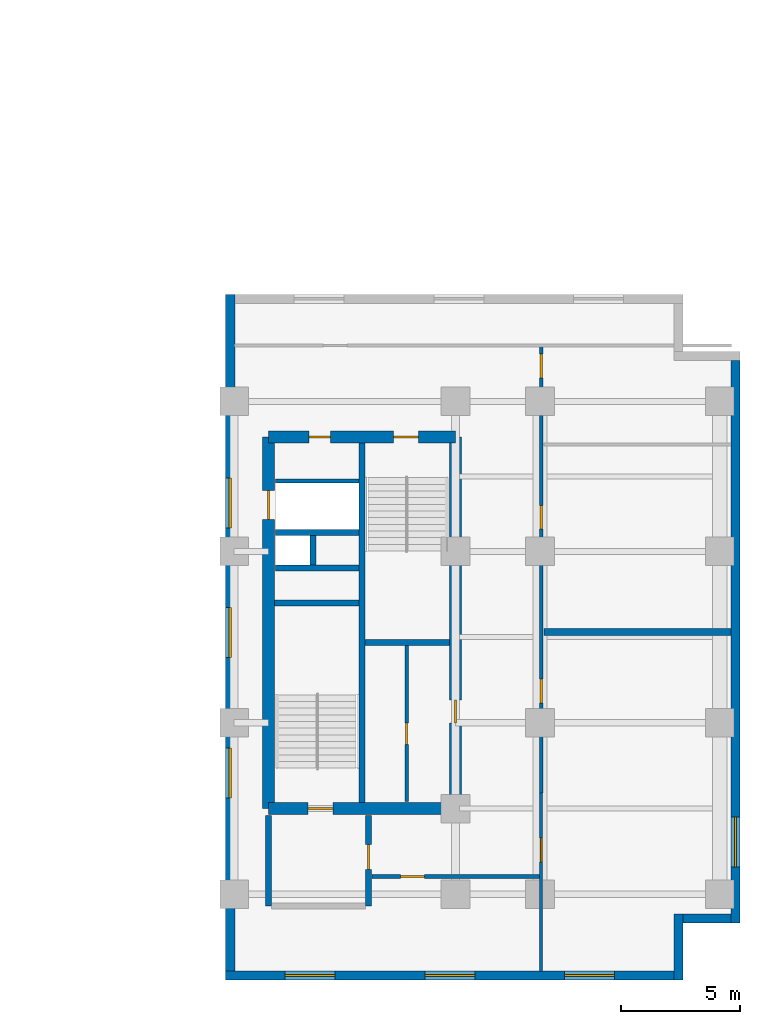
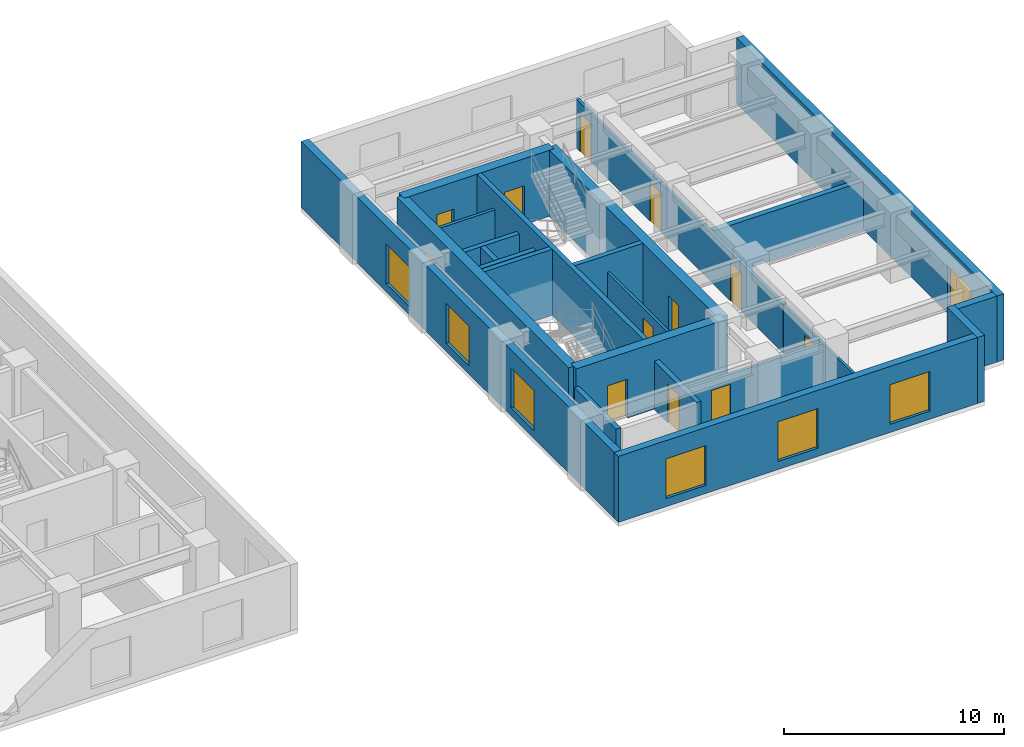
# One storey, part 4 of 9: 23 walls, 12 doors, 7 windows, 19 openings.
"""IFC4 building model written with IfcOpenShell, lengths in metres."""

from ifc_helpers import new_model, entity, si_unit, converted_unit, direction, frame, origin_with_axes, origin_2d_with_axis, place, context, subcontext, project, spatial, polyline, rectangle, outline, extrude, material, layer, layer_set, type_object, element, fill, save


model = new_model("IFC4")

# Units and contexts
model_context = context("Model", 3, precision=1e-05, world=origin_with_axes(), true_north=direction((0.0, 1.0)))
body_context = subcontext(model_context, "Body", "Model", "MODEL_VIEW")
ifc_project = project(units=[si_unit("LENGTHUNIT", "METRE"), si_unit("AREAUNIT", "SQUARE_METRE"), si_unit("VOLUMEUNIT", "CUBIC_METRE"), converted_unit("PLANEANGLEUNIT", "DEGREE", entity("IfcPlaneAngleMeasure", 0.017453292519943295), si_unit("PLANEANGLEUNIT", "RADIAN"), dimensions=[0, 0, 0, 0, 0, 0, 0]), si_unit("MASSUNIT", "GRAM", prefix="KILO"), si_unit("THERMODYNAMICTEMPERATUREUNIT", "KELVIN")], contexts=[model_context])

# Site, building, storey
site_placement = place(None, origin_with_axes())
site = spatial("IfcSite", under=ifc_project, at=site_placement, CompositionType="ELEMENT")
building_placement = place(site_placement, origin_with_axes())
building = spatial("IfcBuilding", under=site, at=building_placement, Name="Varnlund Millrace Tower", CompositionType="ELEMENT")
storey_placement = place(building_placement, frame((0.0, 0.0, 108.6), z_axis=(0.0, 0.0, 1.0), x_axis=(1.0, 0.0, 0.0)))
storey = spatial("IfcBuildingStorey", under=building, at=storey_placement, Name="L26", CompositionType="ELEMENT", Elevation=108.6)

# Wall, opening, door
ifc_material_1 = material(Name="Concrete C70/85", Category="concrete")
ifc_layer_1 = layer(ifc_material_1, 0.5, Name="Concrete C70/85")
ifc_layer_set_1 = layer_set([ifc_layer_1], Name="Concrete C70/85")
wall_type_1 = type_object("IfcWallType", Name="Type-CoreWall-Shear-500-C70", PredefinedType="SHEAR", material=ifc_layer_set_1)
wall_1_placement = place(storey_placement, frame((40.2, 7.2, 0.0), z_axis=(0.0, 0.0, 1.0), x_axis=(0.0, 1.0, 0.0)))
wall_1 = element("IfcWall", 1, at=wall_1_placement, inside=storey, type_object=wall_type_1, Name="Type-CoreWall-Shear-500-C70", PredefinedType="SHEAR", context=body_context, shape_type="SweptSolid", body=[
    extrude(outline(polyline([(0.0, -0.25), (15.6, -0.25), (15.6, 0.25), (0.0, 0.25), (0.0, -0.25)])), origin_with_axes(), (0.0, 0.0, 1.0), 3.66),
])
opening_1_placement = place(wall_1_placement, frame((12.75, 0.0, 0.0), z_axis=(0.0, 0.0, 1.0), x_axis=(1.0, 0.0, 0.0)))
opening_1 = element("IfcOpeningElement", 2, at=opening_1_placement, cuts=wall_1, Name="Opening L26:LD-SRV2", PredefinedType="OPENING", context=body_context, shape_type="SweptSolid", body=[
    extrude(rectangle(XDim=1.2, YDim=0.52, at=origin_2d_with_axis()), origin_with_axes(), (0.0, 0.0, 1.0), 2.15),
])
ifc_material_2 = material(Name="Heavy-duty freight sliding landing door")
door_type_1 = type_object("IfcDoorType", Name="Type-LiftLandingDoor-Service-1200X2150", OperationType="NOTDEFINED", PredefinedType="DOOR", material=ifc_material_2)
door_1_placement = place(wall_1_placement, frame((12.75, 0.0, 0.0), z_axis=(0.0, 0.0, 1.0), x_axis=(1.0, 0.0, 0.0)))
door_1 = element("IfcDoor", 3, at=door_1_placement, inside=storey, type_object=door_type_1, Name="Type-LiftLandingDoor-Service-1200X2150", OperationType="DOUBLE_DOOR_SLIDING", OverallHeight=2.15, OverallWidth=1.2, PredefinedType="DOOR", context=body_context, shape_type="SweptSolid", body=[
    extrude(rectangle(XDim=1.2, YDim=0.09, at=origin_2d_with_axis()), origin_with_axes(), (0.0, 0.0, 1.0), 2.15),
])
fill(opening_1, door_1)

wall_2_placement = place(storey_placement, frame((40.2, 7.2, 0.0), z_axis=(0.0, 0.0, 1.0), x_axis=(1.0, 0.0, 0.0)))
wall_2 = element("IfcWall", 4, at=wall_2_placement, inside=storey, type_object=wall_type_1, Name="Type-CoreWall-Shear-500-C70", PredefinedType="SHEAR", context=body_context, shape_type="SweptSolid", body=[
    extrude(outline(polyline([(0.0, -0.25), (7.85, -0.25), (7.85, 0.25), (0.0, 0.25), (0.0, -0.25)])), origin_with_axes(), (0.0, 0.0, 1.0), 3.66),
])
opening_2_placement = place(wall_2_placement, frame((2.175, 0.0, 0.0), z_axis=(0.0, 0.0, 1.0), x_axis=(1.0, 0.0, 0.0)))
opening_2 = element("IfcOpeningElement", 5, at=opening_2_placement, cuts=wall_2, Name="Opening L26:DR-STB1", PredefinedType="OPENING", context=body_context, shape_type="SweptSolid", body=[
    extrude(rectangle(XDim=1.05, YDim=0.52, at=origin_2d_with_axis()), origin_with_axes(), (0.0, 0.0, 1.0), 2.15),
])
ifc_material_3 = material(Name="Fire-rated hollow steel door", Category="steel")
door_type_2 = type_object("IfcDoorType", Name="Type-FireDoor-Stair-1050X2150", OperationType="NOTDEFINED", PredefinedType="DOOR", material=ifc_material_3)
door_2_placement = place(wall_2_placement, frame((2.175, 0.0, 0.0), z_axis=(0.0, 0.0, 1.0), x_axis=(1.0, 0.0, 0.0)))
door_2 = element("IfcDoor", 6, at=door_2_placement, inside=storey, type_object=door_type_2, Name="Type-FireDoor-Stair-1050X2150", OperationType="SINGLE_SWING_LEFT", OverallHeight=2.15, OverallWidth=1.05, PredefinedType="DOOR", context=body_context, shape_type="SweptSolid", body=[
    extrude(rectangle(XDim=1.05, YDim=0.09, at=origin_2d_with_axis()), origin_with_axes(), (0.0, 0.0, 1.0), 2.15),
])
fill(opening_2, door_2)

# Wall, openings, doors
wall_3_placement = place(storey_placement, frame((40.2, 22.8, 0.0), z_axis=(0.0, 0.0, 1.0), x_axis=(1.0, 0.0, 0.0)))
wall_3 = element("IfcWall", 7, at=wall_3_placement, inside=storey, type_object=wall_type_1, Name="Type-CoreWall-Shear-500-C70", PredefinedType="SHEAR", context=body_context, shape_type="SweptSolid", body=[
    extrude(outline(polyline([(0.0, -0.25), (7.85, -0.25), (7.85, 0.25), (0.0, 0.25), (0.0, -0.25)])), origin_with_axes(), (0.0, 0.0, 1.0), 3.66),
])
opening_3_placement = place(wall_3_placement, frame((5.775, 0.0, 0.0), z_axis=(0.0, 0.0, 1.0), x_axis=(1.0, 0.0, 0.0)))
opening_3 = element("IfcOpeningElement", 8, at=opening_3_placement, cuts=wall_3, Name="Opening L26:DR-STB2", PredefinedType="OPENING", context=body_context, shape_type="SweptSolid", body=[
    extrude(rectangle(XDim=1.05, YDim=0.52, at=origin_2d_with_axis()), origin_with_axes(), (0.0, 0.0, 1.0), 2.15),
])
opening_4_placement = place(wall_3_placement, frame((2.15, 0.0, 0.0), z_axis=(0.0, 0.0, 1.0), x_axis=(1.0, 0.0, 0.0)))
opening_4 = element("IfcOpeningElement", 9, at=opening_4_placement, cuts=wall_3, Name="Opening L26:DR-CB-NW", PredefinedType="OPENING", context=body_context, shape_type="SweptSolid", body=[
    extrude(rectangle(XDim=0.9, YDim=0.52, at=origin_2d_with_axis()), origin_with_axes(), (0.0, 0.0, 1.0), 2.15),
])
ifc_material_4 = material(Name="Fire-rated hollow steel service closet door", Category="steel")
door_type_3 = type_object("IfcDoorType", Name="Type-FireDoor-Closet-900X2150", OperationType="NOTDEFINED", PredefinedType="DOOR", material=ifc_material_4)
door_3_placement = place(wall_3_placement, frame((2.15, 0.0, 0.0), z_axis=(0.0, 0.0, 1.0), x_axis=(1.0, 0.0, 0.0)))
door_3 = element("IfcDoor", 10, at=door_3_placement, inside=storey, type_object=door_type_3, Name="Type-FireDoor-Closet-900X2150", OperationType="SINGLE_SWING_LEFT", OverallHeight=2.15, OverallWidth=0.9, PredefinedType="DOOR", context=body_context, shape_type="SweptSolid", body=[
    extrude(rectangle(XDim=0.9, YDim=0.09, at=origin_2d_with_axis()), origin_with_axes(), (0.0, 0.0, 1.0), 2.15),
])
fill(opening_4, door_3)
door_4_placement = place(wall_3_placement, frame((5.775, 0.0, 0.0), z_axis=(0.0, 0.0, 1.0), x_axis=(1.0, 0.0, 0.0)))
door_4 = element("IfcDoor", 11, at=door_4_placement, inside=storey, type_object=door_type_2, Name="Type-FireDoor-Stair-1050X2150", OperationType="SINGLE_SWING_RIGHT", OverallHeight=2.15, OverallWidth=1.05, PredefinedType="DOOR", context=body_context, shape_type="SweptSolid", body=[
    extrude(rectangle(XDim=1.05, YDim=0.09, at=origin_2d_with_axis()), origin_with_axes(), (0.0, 0.0, 1.0), 2.15),
])
fill(opening_3, door_4)

# Wall, opening, door
wall_4_placement = place(storey_placement, frame((48.05, 7.2, 0.0), z_axis=(0.0, 0.0, 1.0), x_axis=(0.0, 1.0, 0.0)))
wall_4 = element("IfcWall", 12, at=wall_4_placement, inside=storey, type_object=wall_type_1, Name="Type-CoreWall-Shear-500-C70", PredefinedType="SHEAR", context=body_context, shape_type="SweptSolid", body=[
    extrude(outline(polyline([(0.0, -0.25), (15.6, -0.25), (15.6, 0.25), (0.0, 0.25), (0.0, -0.25)])), origin_with_axes(), (0.0, 0.0, 1.0), 3.66),
])
opening_5_placement = place(wall_4_placement, frame((4.075, 0.0, 0.0), z_axis=(0.0, 0.0, 1.0), x_axis=(1.0, 0.0, 0.0)))
opening_5 = element("IfcOpeningElement", 13, at=opening_5_placement, cuts=wall_4, Name="Opening L26:DR-CB-WC2", PredefinedType="OPENING", context=body_context, shape_type="SweptSolid", body=[
    extrude(rectangle(XDim=0.95, YDim=0.52, at=origin_2d_with_axis()), origin_with_axes(), (0.0, 0.0, 1.0), 2.15),
])
ifc_material_5 = material(Name="Fire-rated hollow steel core service door", Category="steel")
door_type_4 = type_object("IfcDoorType", Name="Type-FireDoor-Service-950X2150", OperationType="NOTDEFINED", PredefinedType="DOOR", material=ifc_material_5)
door_5_placement = place(wall_4_placement, frame((4.075, 0.0, 0.0), z_axis=(0.0, 0.0, 1.0), x_axis=(1.0, 0.0, 0.0)))
door_5 = element("IfcDoor", 14, at=door_5_placement, inside=storey, type_object=door_type_4, Name="Type-FireDoor-Service-950X2150", OperationType="SINGLE_SWING_LEFT", OverallHeight=2.15, OverallWidth=0.95, PredefinedType="DOOR", context=body_context, shape_type="SweptSolid", body=[
    extrude(rectangle(XDim=0.95, YDim=0.09, at=origin_2d_with_axis()), origin_with_axes(), (0.0, 0.0, 1.0), 2.15),
])
fill(opening_5, door_5)

# Wall, opening, window
ifc_material_6 = material(Name="Precast concrete C50/60", Category="concrete")
ifc_layer_2 = layer(ifc_material_6, 0.38, Name="Precast concrete C50/60")
ifc_layer_set_2 = layer_set([ifc_layer_2], Name="Precast concrete C50/60")
wall_type_2 = type_object("IfcWallType", Name="Type-ExtWall-Precast-Tube-380", PredefinedType="SOLIDWALL", material=ifc_layer_set_2)
wall_5_placement = place(storey_placement, frame((59.81, 26.02, 0.0), z_axis=(0.0, 0.0, 1.0), x_axis=(0.0, -1.0, 0.0)))
wall_5 = element("IfcWall", 15, at=wall_5_placement, inside=storey, type_object=wall_type_2, Name="Type-ExtWall-Precast-Tube-380", PredefinedType="SOLIDWALL", context=body_context, shape_type="SweptSolid", body=[
    extrude(outline(polyline([(0.0, -0.19), (23.62, -0.19), (23.62, 0.19), (0.0, 0.19), (0.0, -0.19)])), origin_with_axes(), (0.0, 0.0, 1.0), 3.66),
])
opening_6_placement = place(wall_5_placement, frame((20.218, 0.0, 0.45), z_axis=(0.0, 0.0, 1.0), x_axis=(1.0, 0.0, 0.0)))
opening_6 = element("IfcOpeningElement", 16, at=opening_6_placement, cuts=wall_5, Name="Opening L26:WN-17", PredefinedType="OPENING", context=body_context, shape_type="SweptSolid", body=[
    extrude(rectangle(XDim=2.1, YDim=0.4, at=origin_2d_with_axis()), origin_with_axes(), (0.0, 0.0, 1.0), 2.2),
])
ifc_material_7 = material(Name="Argon low-e triple glazing in thermally broken bronze frame", Category="glass")
window_type = type_object("IfcWindowType", Name="Type-Window-Punched-2100X2200", PartitioningType="SINGLE_PANEL", PredefinedType="WINDOW", material=ifc_material_7)
window_1_placement = place(wall_5_placement, frame((20.218, 0.0, 0.45), z_axis=(0.0, 0.0, 1.0), x_axis=(1.0, 0.0, 0.0)))
window_1 = element("IfcWindow", 17, at=window_1_placement, inside=storey, type_object=window_type, Name="Type-Window-Punched-2100X2200", OverallHeight=2.2, OverallWidth=2.1, PredefinedType="WINDOW", context=body_context, shape_type="SweptSolid", body=[
    extrude(rectangle(XDim=2.1, YDim=0.09, at=origin_2d_with_axis()), origin_with_axes(), (0.0, 0.0, 1.0), 2.2),
])
fill(opening_6, window_1)

# Walls
wall_6_placement = place(storey_placement, frame((59.62, 2.59, 0.0), z_axis=(0.0, 0.0, 1.0), x_axis=(-1.0, 0.0, 0.0)))
element("IfcWall", 18, at=wall_6_placement, inside=storey, type_object=wall_type_2, Name="Type-ExtWall-Precast-Tube-380", PredefinedType="SOLIDWALL", context=body_context, shape_type="SweptSolid", body=[
    extrude(outline(polyline([(0.0, -0.19), (2.02, -0.19), (2.02, 0.19), (0.0, 0.19), (0.0, -0.19)])), origin_with_axes(), (0.0, 0.0, 1.0), 3.66),
])
wall_7_placement = place(storey_placement, frame((57.41, 2.78, 0.0), z_axis=(0.0, 0.0, 1.0), x_axis=(0.0, -1.0, 0.0)))
element("IfcWall", 19, at=wall_7_placement, inside=storey, type_object=wall_type_2, Name="Type-ExtWall-Precast-Tube-380", PredefinedType="SOLIDWALL", context=body_context, shape_type="SweptSolid", body=[
    extrude(outline(polyline([(0.0, -0.19), (2.78, -0.19), (2.78, 0.19), (0.0, 0.19), (0.0, -0.19)])), origin_with_axes(), (0.0, 0.0, 1.0), 3.66),
])

# Wall, openings, windows
wall_8_placement = place(storey_placement, frame((57.22, 0.19, 0.0), z_axis=(0.0, 0.0, 1.0), x_axis=(-1.0, 0.0, 0.0)))
wall_8 = element("IfcWall", 20, at=wall_8_placement, inside=storey, type_object=wall_type_2, Name="Type-ExtWall-Precast-Tube-380", PredefinedType="SOLIDWALL", context=body_context, shape_type="SweptSolid", body=[
    extrude(outline(polyline([(0.0, -0.19), (18.82, -0.19), (18.82, 0.19), (0.0, 0.19), (0.0, -0.19)])), origin_with_axes(), (0.0, 0.0, 1.0), 3.66),
])
opening_7_placement = place(wall_8_placement, frame((3.537, 0.0, 0.45), z_axis=(0.0, 0.0, 1.0), x_axis=(1.0, 0.0, 0.0)))
opening_7 = element("IfcOpeningElement", 21, at=opening_7_placement, cuts=wall_8, Name="Opening L26:WN-18", PredefinedType="OPENING", context=body_context, shape_type="SweptSolid", body=[
    extrude(rectangle(XDim=2.1, YDim=0.4, at=origin_2d_with_axis()), origin_with_axes(), (0.0, 0.0, 1.0), 2.2),
])
opening_8_placement = place(wall_8_placement, frame((9.41, 0.0, 0.45), z_axis=(0.0, 0.0, 1.0), x_axis=(1.0, 0.0, 0.0)))
opening_8 = element("IfcOpeningElement", 22, at=opening_8_placement, cuts=wall_8, Name="Opening L26:WN-19", PredefinedType="OPENING", context=body_context, shape_type="SweptSolid", body=[
    extrude(rectangle(XDim=2.1, YDim=0.4, at=origin_2d_with_axis()), origin_with_axes(), (0.0, 0.0, 1.0), 2.2),
])
opening_9_placement = place(wall_8_placement, frame((15.283, 0.0, 0.45), z_axis=(0.0, 0.0, 1.0), x_axis=(1.0, 0.0, 0.0)))
opening_9 = element("IfcOpeningElement", 23, at=opening_9_placement, cuts=wall_8, Name="Opening L26:WN-20", PredefinedType="OPENING", context=body_context, shape_type="SweptSolid", body=[
    extrude(rectangle(XDim=2.1, YDim=0.4, at=origin_2d_with_axis()), origin_with_axes(), (0.0, 0.0, 1.0), 2.2),
])
window_2_placement = place(wall_8_placement, frame((3.537, 0.0, 0.45), z_axis=(0.0, 0.0, 1.0), x_axis=(1.0, 0.0, 0.0)))
window_2 = element("IfcWindow", 24, at=window_2_placement, inside=storey, type_object=window_type, Name="Type-Window-Punched-2100X2200", OverallHeight=2.2, OverallWidth=2.1, PredefinedType="WINDOW", context=body_context, shape_type="SweptSolid", body=[
    extrude(rectangle(XDim=2.1, YDim=0.09, at=origin_2d_with_axis()), origin_with_axes(), (0.0, 0.0, 1.0), 2.2),
])
fill(opening_7, window_2)
window_3_placement = place(wall_8_placement, frame((9.41, 0.0, 0.45), z_axis=(0.0, 0.0, 1.0), x_axis=(1.0, 0.0, 0.0)))
window_3 = element("IfcWindow", 25, at=window_3_placement, inside=storey, type_object=window_type, Name="Type-Window-Punched-2100X2200", OverallHeight=2.2, OverallWidth=2.1, PredefinedType="WINDOW", context=body_context, shape_type="SweptSolid", body=[
    extrude(rectangle(XDim=2.1, YDim=0.09, at=origin_2d_with_axis()), origin_with_axes(), (0.0, 0.0, 1.0), 2.2),
])
fill(opening_8, window_3)
window_4_placement = place(wall_8_placement, frame((15.283, 0.0, 0.45), z_axis=(0.0, 0.0, 1.0), x_axis=(1.0, 0.0, 0.0)))
window_4 = element("IfcWindow", 26, at=window_4_placement, inside=storey, type_object=window_type, Name="Type-Window-Punched-2100X2200", OverallHeight=2.2, OverallWidth=2.1, PredefinedType="WINDOW", context=body_context, shape_type="SweptSolid", body=[
    extrude(rectangle(XDim=2.1, YDim=0.09, at=origin_2d_with_axis()), origin_with_axes(), (0.0, 0.0, 1.0), 2.2),
])
fill(opening_9, window_4)

wall_9_placement = place(storey_placement, frame((38.59, 0.38, 0.0), z_axis=(0.0, 0.0, 1.0), x_axis=(0.0, 1.0, 0.0)))
wall_9 = element("IfcWall", 27, at=wall_9_placement, inside=storey, type_object=wall_type_2, Name="Type-ExtWall-Precast-Tube-380", PredefinedType="SOLIDWALL", context=body_context, shape_type="SweptSolid", body=[
    extrude(outline(polyline([(0.0, -0.19), (28.42, -0.19), (28.42, 0.19), (0.0, 0.19), (0.0, -0.19)])), origin_with_axes(), (0.0, 0.0, 1.0), 3.66),
])
opening_10_placement = place(wall_9_placement, frame((8.316, 0.0, 0.45), z_axis=(0.0, 0.0, 1.0), x_axis=(1.0, 0.0, 0.0)))
opening_10 = element("IfcOpeningElement", 28, at=opening_10_placement, cuts=wall_9, Name="Opening L26:WN-21", PredefinedType="OPENING", context=body_context, shape_type="SweptSolid", body=[
    extrude(rectangle(XDim=2.1, YDim=0.4, at=origin_2d_with_axis()), origin_with_axes(), (0.0, 0.0, 1.0), 2.2),
])
opening_11_placement = place(wall_9_placement, frame((14.21, 0.0, 0.45), z_axis=(0.0, 0.0, 1.0), x_axis=(1.0, 0.0, 0.0)))
opening_11 = element("IfcOpeningElement", 29, at=opening_11_placement, cuts=wall_9, Name="Opening L26:WN-22", PredefinedType="OPENING", context=body_context, shape_type="SweptSolid", body=[
    extrude(rectangle(XDim=2.1, YDim=0.4, at=origin_2d_with_axis()), origin_with_axes(), (0.0, 0.0, 1.0), 2.2),
])
opening_12_placement = place(wall_9_placement, frame((19.654, 0.0, 0.45), z_axis=(0.0, 0.0, 1.0), x_axis=(1.0, 0.0, 0.0)))
opening_12 = element("IfcOpeningElement", 30, at=opening_12_placement, cuts=wall_9, Name="Opening L26:WN-23", PredefinedType="OPENING", context=body_context, shape_type="SweptSolid", body=[
    extrude(rectangle(XDim=2.1, YDim=0.4, at=origin_2d_with_axis()), origin_with_axes(), (0.0, 0.0, 1.0), 2.2),
])
window_5_placement = place(wall_9_placement, frame((8.316, 0.0, 0.45), z_axis=(0.0, 0.0, 1.0), x_axis=(1.0, 0.0, 0.0)))
window_5 = element("IfcWindow", 31, at=window_5_placement, inside=storey, type_object=window_type, Name="Type-Window-Punched-2100X2200", OverallHeight=2.2, OverallWidth=2.1, PredefinedType="WINDOW", context=body_context, shape_type="SweptSolid", body=[
    extrude(rectangle(XDim=2.1, YDim=0.09, at=origin_2d_with_axis()), origin_with_axes(), (0.0, 0.0, 1.0), 2.2),
])
fill(opening_10, window_5)
window_6_placement = place(wall_9_placement, frame((14.21, 0.0, 0.45), z_axis=(0.0, 0.0, 1.0), x_axis=(1.0, 0.0, 0.0)))
window_6 = element("IfcWindow", 32, at=window_6_placement, inside=storey, type_object=window_type, Name="Type-Window-Punched-2100X2200", OverallHeight=2.2, OverallWidth=2.1, PredefinedType="WINDOW", context=body_context, shape_type="SweptSolid", body=[
    extrude(rectangle(XDim=2.1, YDim=0.09, at=origin_2d_with_axis()), origin_with_axes(), (0.0, 0.0, 1.0), 2.2),
])
fill(opening_11, window_6)
window_7_placement = place(wall_9_placement, frame((19.654, 0.0, 0.45), z_axis=(0.0, 0.0, 1.0), x_axis=(1.0, 0.0, 0.0)))
window_7 = element("IfcWindow", 33, at=window_7_placement, inside=storey, type_object=window_type, Name="Type-Window-Punched-2100X2200", OverallHeight=2.2, OverallWidth=2.1, PredefinedType="WINDOW", context=body_context, shape_type="SweptSolid", body=[
    extrude(rectangle(XDim=2.1, YDim=0.09, at=origin_2d_with_axis()), origin_with_axes(), (0.0, 0.0, 1.0), 2.2),
])
fill(opening_12, window_7)

# Walls
ifc_material_8 = material(Name="Double-stud STC-60 conference acoustic partition", Category="gypsum")
ifc_layer_3 = layer(ifc_material_8, 0.28, Name="Double-stud STC-60 conference acoustic partition")
ifc_layer_set_3 = layer_set([ifc_layer_3], Name="Double-stud STC-60 conference acoustic partition")
wall_type_3 = type_object("IfcWallType", Name="Type-Partition-Acoustic-280", PredefinedType="PARTITIONING", material=ifc_layer_set_3)
wall_10_placement = place(storey_placement, frame((51.77, 14.617, 0.0), z_axis=(0.0, 0.0, 1.0), x_axis=(1.0, 0.0, 0.0)))
element("IfcWall", 34, at=wall_10_placement, inside=storey, type_object=wall_type_3, Name="Type-Partition-Acoustic-280", PredefinedType="PARTITIONING", context=body_context, shape_type="SweptSolid", body=[
    extrude(outline(polyline([(0.0, -0.14), (7.855, -0.14), (7.855, 0.14), (0.0, 0.14), (0.0, -0.14)])), origin_with_axes(), (0.0, 0.0, 1.0), 2.7),
])
ifc_material_9 = material(Name="Fire-rated gypsum board on cold-formed steel framing", Category="steel")
ifc_layer_4 = layer(ifc_material_9, 0.16, Name="Fire-rated gypsum board on cold-formed steel framing")
ifc_layer_set_4 = layer_set([ifc_layer_4], Name="Fire-rated gypsum board on cold-formed steel framing")
wall_type_4 = type_object("IfcWallType", Name="Type-Partition-Corridor-160", PredefinedType="PARTITIONING", material=ifc_layer_set_4)
wall_11_placement = place(storey_placement, frame((40.5, 20.96, 0.0), z_axis=(0.0, 0.0, 1.0), x_axis=(1.0, 0.0, 0.0)))
element("IfcWall", 35, at=wall_11_placement, inside=storey, type_object=wall_type_4, Name="Type-Partition-Corridor-160", PredefinedType="PARTITIONING", context=body_context, shape_type="SweptSolid", body=[
    extrude(outline(polyline([(0.0, -0.08), (3.5, -0.08), (3.5, 0.08), (0.0, 0.08), (0.0, -0.08)])), origin_with_axes(), (0.0, 0.0, 1.0), 2.7),
])

# Wall, openings, doors
wall_12_placement = place(storey_placement, frame((51.65, 7.85, 0.0), z_axis=(0.0, 0.0, 1.0), x_axis=(0.0, 1.0, 0.0)))
wall_12 = element("IfcWall", 36, at=wall_12_placement, inside=storey, type_object=wall_type_4, Name="Type-Partition-Corridor-160", PredefinedType="PARTITIONING", context=body_context, shape_type="SweptSolid", body=[
    extrude(outline(polyline([(0.0, -0.08), (18.8, -0.08), (18.8, 0.08), (0.0, 0.08), (0.0, -0.08)])), origin_with_axes(), (0.0, 0.0, 1.0), 2.7),
])
opening_13_placement = place(wall_12_placement, frame((4.294, 0.0, 0.0), z_axis=(0.0, 0.0, 1.0), x_axis=(1.0, 0.0, 0.0)))
opening_13 = element("IfcOpeningElement", 37, at=opening_13_placement, cuts=wall_12, Name="Opening L26:DR-WB-01", PredefinedType="OPENING", context=body_context, shape_type="SweptSolid", body=[
    extrude(rectangle(XDim=1.0, YDim=0.18, at=origin_2d_with_axis()), origin_with_axes(), (0.0, 0.0, 1.0), 2.15),
])
opening_14_placement = place(wall_12_placement, frame((11.585, 0.0, 0.0), z_axis=(0.0, 0.0, 1.0), x_axis=(1.0, 0.0, 0.0)))
opening_14 = element("IfcOpeningElement", 38, at=opening_14_placement, cuts=wall_12, Name="Opening L26:DR-WB-02", PredefinedType="OPENING", context=body_context, shape_type="SweptSolid", body=[
    extrude(rectangle(XDim=1.0, YDim=0.18, at=origin_2d_with_axis()), origin_with_axes(), (0.0, 0.0, 1.0), 2.15),
])
opening_15_placement = place(wall_12_placement, frame((17.941, 0.0, 0.0), z_axis=(0.0, 0.0, 1.0), x_axis=(1.0, 0.0, 0.0)))
opening_15 = element("IfcOpeningElement", 39, at=opening_15_placement, cuts=wall_12, Name="Opening L26:DR-WB-03", PredefinedType="OPENING", context=body_context, shape_type="SweptSolid", body=[
    extrude(rectangle(XDim=1.0, YDim=0.18, at=origin_2d_with_axis()), origin_with_axes(), (0.0, 0.0, 1.0), 2.15),
])
ifc_material_10 = material(Name="Solid-core white oak and bronze frame door")
door_type_5 = type_object("IfcDoorType", Name="Type-IntDoor-Office-1000X2150", OperationType="NOTDEFINED", PredefinedType="DOOR", material=ifc_material_10)
door_6_placement = place(wall_12_placement, frame((4.294, 0.0, 0.0), z_axis=(0.0, 0.0, 1.0), x_axis=(1.0, 0.0, 0.0)))
door_6 = element("IfcDoor", 40, at=door_6_placement, inside=storey, type_object=door_type_5, Name="Type-IntDoor-Office-1000X2150", OperationType="SINGLE_SWING_LEFT", OverallHeight=2.15, OverallWidth=1.0, PredefinedType="DOOR", context=body_context, shape_type="SweptSolid", body=[
    extrude(rectangle(XDim=1.0, YDim=0.09, at=origin_2d_with_axis()), origin_with_axes(), (0.0, 0.0, 1.0), 2.15),
])
fill(opening_13, door_6)
door_7_placement = place(wall_12_placement, frame((11.585, 0.0, 0.0), z_axis=(0.0, 0.0, 1.0), x_axis=(1.0, 0.0, 0.0)))
door_7 = element("IfcDoor", 41, at=door_7_placement, inside=storey, type_object=door_type_5, Name="Type-IntDoor-Office-1000X2150", OperationType="SINGLE_SWING_RIGHT", OverallHeight=2.15, OverallWidth=1.0, PredefinedType="DOOR", context=body_context, shape_type="SweptSolid", body=[
    extrude(rectangle(XDim=1.0, YDim=0.09, at=origin_2d_with_axis()), origin_with_axes(), (0.0, 0.0, 1.0), 2.15),
])
fill(opening_14, door_7)
door_8_placement = place(wall_12_placement, frame((17.941, 0.0, 0.0), z_axis=(0.0, 0.0, 1.0), x_axis=(1.0, 0.0, 0.0)))
door_8 = element("IfcDoor", 42, at=door_8_placement, inside=storey, type_object=door_type_5, Name="Type-IntDoor-Office-1000X2150", OperationType="SINGLE_SWING_LEFT", OverallHeight=2.15, OverallWidth=1.0, PredefinedType="DOOR", context=body_context, shape_type="SweptSolid", body=[
    extrude(rectangle(XDim=1.0, YDim=0.09, at=origin_2d_with_axis()), origin_with_axes(), (0.0, 0.0, 1.0), 2.15),
])
fill(opening_15, door_8)

# Wall, opening, door
wall_13_placement = place(storey_placement, frame((44.55, 4.35, 0.0), z_axis=(0.0, 0.0, 1.0), x_axis=(1.0, 0.0, 0.0)))
wall_13 = element("IfcWall", 43, at=wall_13_placement, inside=storey, type_object=wall_type_4, Name="Type-Partition-Corridor-160", PredefinedType="PARTITIONING", context=body_context, shape_type="SweptSolid", body=[
    extrude(outline(polyline([(0.0, -0.08), (7.1, -0.08), (7.1, 0.08), (0.0, 0.08), (0.0, -0.08)])), origin_with_axes(), (0.0, 0.0, 1.0), 2.7),
])
opening_16_placement = place(wall_13_placement, frame((1.7, 0.0, 0.0), z_axis=(0.0, 0.0, 1.0), x_axis=(1.0, 0.0, 0.0)))
opening_16 = element("IfcOpeningElement", 44, at=opening_16_placement, cuts=wall_13, Name="Opening L26:DR-WBS-01", PredefinedType="OPENING", context=body_context, shape_type="SweptSolid", body=[
    extrude(rectangle(XDim=1.0, YDim=0.18, at=origin_2d_with_axis()), origin_with_axes(), (0.0, 0.0, 1.0), 2.15),
])
door_9_placement = place(wall_13_placement, frame((1.7, 0.0, 0.0), z_axis=(0.0, 0.0, 1.0), x_axis=(1.0, 0.0, 0.0)))
door_9 = element("IfcDoor", 45, at=door_9_placement, inside=storey, type_object=door_type_5, Name="Type-IntDoor-Office-1000X2150", OperationType="SINGLE_SWING_LEFT", OverallHeight=2.15, OverallWidth=1.0, PredefinedType="DOOR", context=body_context, shape_type="SweptSolid", body=[
    extrude(rectangle(XDim=1.0, YDim=0.09, at=origin_2d_with_axis()), origin_with_axes(), (0.0, 0.0, 1.0), 2.15),
])
fill(opening_16, door_9)

ifc_material_11 = material(Name="Gypsum board tenant partition", Category="gypsum")
ifc_layer_5 = layer(ifc_material_11, 0.125, Name="Gypsum board tenant partition")
ifc_layer_set_5 = layer_set([ifc_layer_5], Name="Gypsum board tenant partition")
wall_type_5 = type_object("IfcWallType", Name="Type-Partition-Tenant-125", PredefinedType="PARTITIONING", material=ifc_layer_set_5)
wall_14_placement = place(storey_placement, frame((51.65, 0.36, 0.0), z_axis=(0.0, 0.0, 1.0), x_axis=(0.0, 1.0, 0.0)))
wall_14 = element("IfcWall", 46, at=wall_14_placement, inside=storey, type_object=wall_type_5, Name="Type-Partition-Tenant-125", PredefinedType="PARTITIONING", context=body_context, shape_type="SweptSolid", body=[
    extrude(outline(polyline([(0.0, -0.0625), (7.49, -0.0625), (7.49, 0.0625), (0.0, 0.0625), (0.0, -0.0625)])), origin_with_axes(), (0.0, 0.0, 1.0), 2.7),
])
opening_17_placement = place(wall_14_placement, frame((5.1, 0.0, 0.0), z_axis=(0.0, 0.0, 1.0), x_axis=(1.0, 0.0, 0.0)))
opening_17 = element("IfcOpeningElement", 47, at=opening_17_placement, cuts=wall_14, Name="Opening L26:DR-WBS-02", PredefinedType="OPENING", context=body_context, shape_type="SweptSolid", body=[
    extrude(rectangle(XDim=1.0, YDim=0.145, at=origin_2d_with_axis()), origin_with_axes(), (0.0, 0.0, 1.0), 2.15),
])
door_10_placement = place(wall_14_placement, frame((5.1, 0.0, 0.0), z_axis=(0.0, 0.0, 1.0), x_axis=(1.0, 0.0, 0.0)))
door_10 = element("IfcDoor", 48, at=door_10_placement, inside=storey, type_object=door_type_5, Name="Type-IntDoor-Office-1000X2150", OperationType="SINGLE_SWING_LEFT", OverallHeight=2.15, OverallWidth=1.0, PredefinedType="DOOR", context=body_context, shape_type="SweptSolid", body=[
    extrude(rectangle(XDim=1.0, YDim=0.075, at=origin_2d_with_axis()), origin_with_axes(), (0.0, 0.0, 1.0), 2.15),
])
fill(opening_17, door_10)

ifc_material_12 = material(Name="Moisture-resistant gypsum restroom partition", Category="gypsum")
ifc_layer_6 = layer(ifc_material_12, 0.14, Name="Moisture-resistant gypsum restroom partition")
ifc_layer_set_6 = layer_set([ifc_layer_6], Name="Moisture-resistant gypsum restroom partition")
wall_type_6 = type_object("IfcWallType", Name="Type-Partition-Wet-140", PredefinedType="PARTITIONING", material=ifc_layer_set_6)
wall_15_placement = place(storey_placement, frame((46.0, 7.5, 0.0), z_axis=(0.0, 0.0, 1.0), x_axis=(0.0, 1.0, 0.0)))
wall_15 = element("IfcWall", 49, at=wall_15_placement, inside=storey, type_object=wall_type_6, Name="Type-Partition-Wet-140", PredefinedType="PARTITIONING", context=body_context, shape_type="SweptSolid", body=[
    extrude(outline(polyline([(0.0, -0.07), (6.56, -0.07), (6.56, 0.07), (0.0, 0.07), (0.0, -0.07)])), origin_with_axes(), (0.0, 0.0, 1.0), 2.7),
])
opening_18_placement = place(wall_15_placement, frame((2.85, 0.0, 0.0), z_axis=(0.0, 0.0, 1.0), x_axis=(1.0, 0.0, 0.0)))
opening_18 = element("IfcOpeningElement", 50, at=opening_18_placement, cuts=wall_15, Name="Opening L26:DR-CB-WC1", PredefinedType="OPENING", context=body_context, shape_type="SweptSolid", body=[
    extrude(rectangle(XDim=0.9, YDim=0.16, at=origin_2d_with_axis()), origin_with_axes(), (0.0, 0.0, 1.0), 2.15),
])
ifc_material_13 = material(Name="Painted steel riser and closet door", Category="steel")
door_type_6 = type_object("IfcDoorType", Name="Type-IntDoor-Closet-900X2150", OperationType="NOTDEFINED", PredefinedType="DOOR", material=ifc_material_13)
door_11_placement = place(wall_15_placement, frame((2.85, 0.0, 0.0), z_axis=(0.0, 0.0, 1.0), x_axis=(1.0, 0.0, 0.0)))
door_11 = element("IfcDoor", 51, at=door_11_placement, inside=storey, type_object=door_type_6, Name="Type-IntDoor-Closet-900X2150", OperationType="SINGLE_SWING_LEFT", OverallHeight=2.15, OverallWidth=0.9, PredefinedType="DOOR", context=body_context, shape_type="SweptSolid", body=[
    extrude(rectangle(XDim=0.9, YDim=0.084, at=origin_2d_with_axis()), origin_with_axes(), (0.0, 0.0, 1.0), 2.15),
])
fill(opening_18, door_11)

# Walls
ifc_material_14 = material(Name="Concrete C60/75", Category="concrete")
ifc_layer_7 = layer(ifc_material_14, 0.25, Name="Concrete C60/75")
ifc_layer_set_7 = layer_set([ifc_layer_7], Name="Concrete C60/75")
wall_type_7 = type_object("IfcWallType", Name="Type-ShaftWall-Fire-250", PredefinedType="SOLIDWALL", material=ifc_layer_set_7)
for number, where, z_axis, x_axis, name in (
    (52, (40.5, 17.3, 0.0), (0.0, 0.0, 1.0), (1.0, 0.0, 0.0), "Type-ShaftWall-Fire-250"),
    (53, (40.5, 18.8, 0.0), (0.0, 0.0, 1.0), (1.0, 0.0, 0.0), "Type-ShaftWall-Fire-250"),
):
    element("IfcWall", number, at=place(storey_placement, frame(where, z_axis=z_axis, x_axis=x_axis)), inside=storey, type_object=wall_type_7, Name=name, PredefinedType="SOLIDWALL", context=body_context, shape_type="SweptSolid", body=[
        extrude(outline(polyline([(0.0, -0.125), (3.5, -0.125), (3.5, 0.125), (0.0, 0.125), (0.0, -0.125)])), origin_with_axes(), (0.0, 0.0, 1.0), 2.7),
    ])
wall_16_placement = place(storey_placement, frame((42.075, 17.43, 0.0), z_axis=(0.0, 0.0, 1.0), x_axis=(0.0, 1.0, 0.0)))
element("IfcWall", 54, at=wall_16_placement, inside=storey, type_object=wall_type_7, Name="Type-ShaftWall-Fire-250", PredefinedType="SOLIDWALL", context=body_context, shape_type="SweptSolid", body=[
    extrude(outline(polyline([(0.0, -0.125), (1.24, -0.125), (1.24, 0.125), (0.0, 0.125), (0.0, -0.125)])), origin_with_axes(), (0.0, 0.0, 1.0), 2.7),
])
wall_17_placement = place(storey_placement, frame((40.2, 3.1, 0.0), z_axis=(0.0, 0.0, 1.0), x_axis=(0.0, 1.0, 0.0)))
element("IfcWall", 55, at=wall_17_placement, inside=storey, type_object=wall_type_7, Name="Type-ShaftWall-Fire-250", PredefinedType="SOLIDWALL", context=body_context, shape_type="SweptSolid", body=[
    extrude(outline(polyline([(0.0, -0.125), (3.8, -0.125), (3.8, 0.125), (0.0, 0.125), (0.0, -0.125)])), origin_with_axes(), (0.0, 0.0, 1.0), 2.7),
])

# Wall, opening, door
wall_18_placement = place(storey_placement, frame((44.4, 3.1, 0.0), z_axis=(0.0, 0.0, 1.0), x_axis=(0.0, 1.0, 0.0)))
wall_18 = element("IfcWall", 56, at=wall_18_placement, inside=storey, type_object=wall_type_7, Name="Type-ShaftWall-Fire-250", PredefinedType="SOLIDWALL", context=body_context, shape_type="SweptSolid", body=[
    extrude(outline(polyline([(0.0, -0.125), (3.8, -0.125), (3.8, 0.125), (0.0, 0.125), (0.0, -0.125)])), origin_with_axes(), (0.0, 0.0, 1.0), 2.7),
])
opening_19_placement = place(wall_18_placement, frame((2.075, 0.0, 0.0), z_axis=(0.0, 0.0, 1.0), x_axis=(1.0, 0.0, 0.0)))
opening_19 = element("IfcOpeningElement", 57, at=opening_19_placement, cuts=wall_18, Name="Opening L26:DR-FFLOB-B", PredefinedType="OPENING", context=body_context, shape_type="SweptSolid", body=[
    extrude(rectangle(XDim=1.05, YDim=0.27, at=origin_2d_with_axis()), origin_with_axes(), (0.0, 0.0, 1.0), 2.15),
])
ifc_material_15 = material(Name="Smoke-barrier hollow steel fire door", Category="steel")
door_type_7 = type_object("IfcDoorType", Name="Type-FireDoor-Lobby-1050X2150", OperationType="NOTDEFINED", PredefinedType="DOOR", material=ifc_material_15)
door_12_placement = place(wall_18_placement, frame((2.075, 0.0, 0.0), z_axis=(0.0, 0.0, 1.0), x_axis=(1.0, 0.0, 0.0)))
door_12 = element("IfcDoor", 58, at=door_12_placement, inside=storey, type_object=door_type_7, Name="Type-FireDoor-Lobby-1050X2150", OperationType="SINGLE_SWING_LEFT", OverallHeight=2.15, OverallWidth=1.05, PredefinedType="DOOR", context=body_context, shape_type="SweptSolid", body=[
    extrude(rectangle(XDim=1.05, YDim=0.09, at=origin_2d_with_axis()), origin_with_axes(), (0.0, 0.0, 1.0), 2.15),
])
fill(opening_19, door_12)

# Walls
wall_type_8 = type_object("IfcWallType", Name="Type-StairWall-Shear-250", PredefinedType="SHEAR", material=ifc_layer_set_7)
wall_19_placement = place(storey_placement, frame((44.125, 7.45, 0.0), z_axis=(0.0, 0.0, 1.0), x_axis=(0.0, 1.0, 0.0)))
element("IfcWall", 59, at=wall_19_placement, inside=storey, type_object=wall_type_8, Name="Type-StairWall-Shear-250", PredefinedType="SHEAR", context=body_context, shape_type="SweptSolid", body=[
    extrude(outline(polyline([(0.0, -0.125), (15.1, -0.125), (15.1, 0.125), (0.0, 0.125), (0.0, -0.125)])), origin_with_axes(), (0.0, 0.0, 1.0), 3.66),
])
for number, where, z_axis, x_axis, name in (
    (60, (40.45, 15.825, 0.0), (0.0, 0.0, 1.0), (1.0, 0.0, 0.0), "Type-StairWall-Shear-250"),
    (61, (44.25, 14.175, 0.0), (0.0, 0.0, 1.0), (1.0, 0.0, 0.0), "Type-StairWall-Shear-250"),
):
    element("IfcWall", number, at=place(storey_placement, frame(where, z_axis=z_axis, x_axis=x_axis)), inside=storey, type_object=wall_type_8, Name=name, PredefinedType="SHEAR", context=body_context, shape_type="SweptSolid", body=[
        extrude(outline(polyline([(0.0, -0.125), (3.55, -0.125), (3.55, 0.125), (0.0, 0.125), (0.0, -0.125)])), origin_with_axes(), (0.0, 0.0, 1.0), 3.66),
    ])

save(model, "model.ifc")
